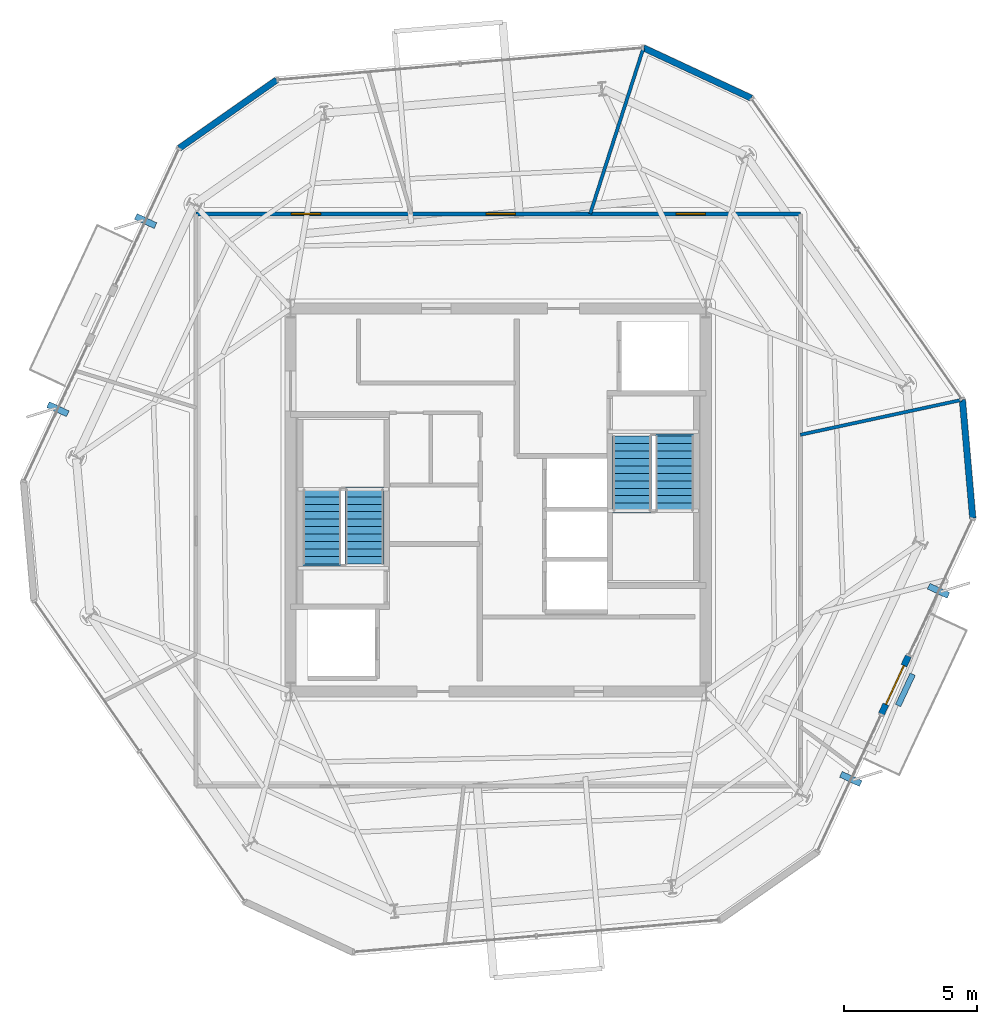
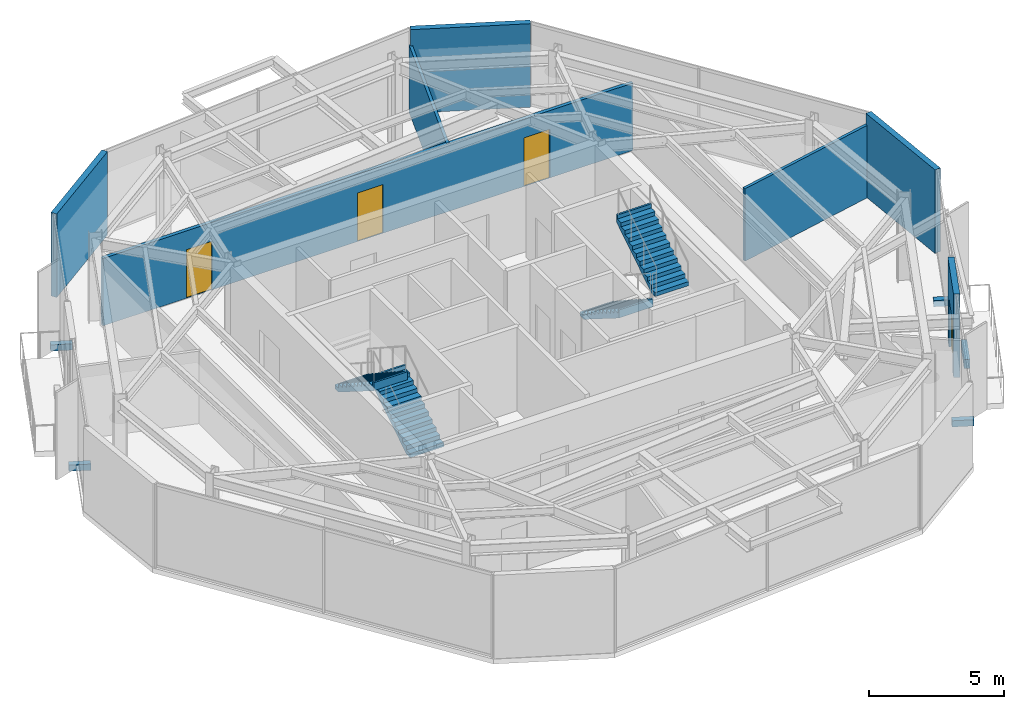
# One storey, part 7 of 11: 8 walls, 4 discrete accessories, 4 doors, 4 stair flights, 4 openings, 2 elements without a shape of their own.
"""IFC4 building model written with IfcOpenShell, lengths in metres."""

from ifc_helpers import new_model, si_unit, direction, frame, frame_2d, origin, origin_2d, place, context, subcontext, project, spatial, polyline, rectangle, outline, extrude, material, layer, layer_set, type_object, element, fill, aggregate, save


model = new_model("IFC4")

# Units and contexts
model_context = context("Model", 3, precision=1e-05, world=origin(), true_north=direction((0.0, 1.0)))
body_context = subcontext(model_context, "Body", "Model", "MODEL_VIEW")
ifc_project = project(units=[si_unit("LENGTHUNIT", "METRE"), si_unit("AREAUNIT", "SQUARE_METRE"), si_unit("VOLUMEUNIT", "CUBIC_METRE"), si_unit("PLANEANGLEUNIT", "RADIAN"), si_unit("MASSUNIT", "GRAM", prefix="KILO")], contexts=[model_context])

# Site, building, storey
site_placement = place(None, origin())
site = spatial("IfcSite", under=ifc_project, at=site_placement, CompositionType="ELEMENT")
building_placement = place(site_placement, origin())
building = spatial("IfcBuilding", under=site, at=building_placement, Name="Kranzbogen Civic Tower", CompositionType="ELEMENT")
storey_placement = place(building_placement, frame((0.0, 0.0, 286.199951171875)))
storey = spatial("IfcBuildingStorey", under=building, at=storey_placement, Name="L69", CompositionType="ELEMENT", Elevation=286.199951171875)

# Wall, openings, doors
ifc_material_1 = material(Name="Double-Stud Acoustic Gypsum Partition")
ifc_layer_1 = layer(ifc_material_1, 0.14990234375, Name="Double-Stud Acoustic Gypsum Partition")
ifc_layer_set_1 = layer_set([ifc_layer_1], Name="Double-Stud Acoustic Gypsum Partition")
wall_type_1 = type_object("IfcWallType", Name="Acoustic Corridor and Clinical Partition 150 mm", PredefinedType="PARTITIONING", material=ifc_layer_set_1)
wall_1_placement = place(storey_placement, frame((13.64990234375, 35.75, 0.0), z_axis=(0.0, 0.0, 1.0), x_axis=(1.0, 0.0, 0.0)))
wall_1 = element("IfcWall", 1, at=wall_1_placement, inside=storey, type_object=wall_type_1, Name="L69 corridor partition 01", PredefinedType="PARTITIONING", context=body_context, shape_type="SweptSolid", body=[
    extrude(rectangle(XDim=22.7001953125, YDim=0.14990234375, at=frame_2d((11.35009765625, 0.0))), origin(), (0.0, 0.0, 1.0), 3.050048828125),
])
opening_1_placement = place(wall_1_placement, frame((18.030029296875, 0.0, 0.0)))
opening_1 = element("IfcOpeningElement", 2, at=opening_1_placement, cuts=wall_1, Name="Opening D-COR60", PredefinedType="OPENING", context=body_context, shape_type="SweptSolid", body=[
    extrude(rectangle(XDim=1.10009765625, YDim=2.199951171875, at=frame_2d((0.550048828125, 1.10009765625))), frame((0.0, 0.0849609375, 0.0), z_axis=(0.0, -1.0, 0.0), x_axis=(1.0, 0.0, 0.0)), (0.0, 0.0, 1.0), 0.169921875),
])
opening_2_placement = place(wall_1_placement, frame((10.89697265625, 0.0, 0.0)))
opening_2 = element("IfcOpeningElement", 3, at=opening_2_placement, cuts=wall_1, Name="Opening D-COR60", PredefinedType="OPENING", context=body_context, shape_type="SweptSolid", body=[
    extrude(rectangle(XDim=1.10009765625, YDim=2.199951171875, at=frame_2d((0.550048828125, 1.10009765625))), frame((0.0, 0.0849609375, 0.0), z_axis=(0.0, -1.0, 0.0), x_axis=(1.0, 0.0, 0.0)), (0.0, 0.0, 1.0), 0.169921875),
])
opening_3_placement = place(wall_1_placement, frame((3.576904296875, 0.0, 0.0)))
opening_3 = element("IfcOpeningElement", 4, at=opening_3_placement, cuts=wall_1, Name="Opening D-COR60", PredefinedType="OPENING", context=body_context, shape_type="SweptSolid", body=[
    extrude(rectangle(XDim=1.10009765625, YDim=2.199951171875, at=frame_2d((0.550048828125, 1.10009765625))), frame((0.0, 0.0849609375, 0.0), z_axis=(0.0, -1.0, 0.0), x_axis=(1.0, 0.0, 0.0)), (0.0, 0.0, 1.0), 0.169921875),
])
ifc_material_2 = material(Name="Oak Timber and Fire Core", Category="wood")
door_type_1 = type_object("IfcDoorType", Name="Corridor Acoustic Fire Door 1100x2200", OperationType="NOTDEFINED", PredefinedType="DOOR", material=ifc_material_2)
door_1_placement = place(opening_1_placement, origin())
door_1 = element("IfcDoor", 5, at=door_1_placement, inside=storey, type_object=door_type_1, Name="L69 Hospitality Catering Kitchen door", OperationType="SINGLE_SWING_RIGHT", OverallHeight=2.199951171875, OverallWidth=1.10009765625, PredefinedType="DOOR", context=body_context, shape_type="SweptSolid", body=[
    extrude(rectangle(XDim=1.10009765625, YDim=2.199951171875, at=frame_2d((0.550048828125, 1.10009765625))), frame((0.0, 0.02490234375, 0.0), z_axis=(0.0, -1.0, 0.0), x_axis=(1.0, 0.0, 0.0)), (0.0, 0.0, 1.0), 0.050048828125),
])
fill(opening_1, door_1)
door_2_placement = place(opening_2_placement, origin())
door_2 = element("IfcDoor", 6, at=door_2_placement, inside=storey, type_object=door_type_1, Name="L69 Refreshment Galley Pantry door", OperationType="SINGLE_SWING_LEFT", OverallHeight=2.199951171875, OverallWidth=1.10009765625, PredefinedType="DOOR", context=body_context, shape_type="SweptSolid", body=[
    extrude(rectangle(XDim=1.10009765625, YDim=2.199951171875, at=frame_2d((0.550048828125, 1.10009765625))), frame((0.0, 0.02490234375, 0.0), z_axis=(0.0, -1.0, 0.0), x_axis=(1.0, 0.0, 0.0)), (0.0, 0.0, 1.0), 0.050048828125),
])
fill(opening_2, door_2)
door_3_placement = place(opening_3_placement, origin())
door_3 = element("IfcDoor", 7, at=door_3_placement, inside=storey, type_object=door_type_1, Name="L69 Executive Briefing Conference Room door", OperationType="SINGLE_SWING_RIGHT", OverallHeight=2.199951171875, OverallWidth=1.10009765625, PredefinedType="DOOR", context=body_context, shape_type="SweptSolid", body=[
    extrude(rectangle(XDim=1.10009765625, YDim=2.199951171875, at=frame_2d((0.550048828125, 1.10009765625))), frame((0.0, 0.02490234375, 0.0), z_axis=(0.0, -1.0, 0.0), x_axis=(1.0, 0.0, 0.0)), (0.0, 0.0, 1.0), 0.050048828125),
])
fill(opening_3, door_3)

# Walls
ifc_material_3 = material(Name="Insulated Metal-Stud Gypsum Partition")
ifc_layer_2 = layer(ifc_material_3, 0.125, Name="Insulated Metal-Stud Gypsum Partition")
ifc_layer_set_2 = layer_set([ifc_layer_2], Name="Insulated Metal-Stud Gypsum Partition")
wall_type_2 = type_object("IfcWallType", Name="Acoustic Inter-Room Partition 125 mm", PredefinedType="PARTITIONING", material=ifc_layer_set_2)
wall_2_placement = place(storey_placement, frame((36.35009765625, 27.450927734375, 0.0), z_axis=(0.0, 0.0, 1.0), x_axis=(0.977442678881, 0.211200874766, 0.0)))
element("IfcWall", 8, at=wall_2_placement, inside=storey, type_object=wall_type_2, Name="L69 radial room partition 06", PredefinedType="PARTITIONING", context=body_context, shape_type="SweptSolid", body=[
    extrude(rectangle(XDim=6.212158203125, YDim=0.125, at=frame_2d((3.10595703125, 0.0))), origin(), (0.0, 0.0, 1.0), 3.280029296875),
])
wall_3_placement = place(storey_placement, frame((28.4541015625, 35.75, 0.0), z_axis=(0.0, 0.0, 1.0), x_axis=(0.305804735988, 0.952094251347, 0.0)))
element("IfcWall", 9, at=wall_3_placement, inside=storey, type_object=wall_type_2, Name="L69 radial room partition 07", PredefinedType="PARTITIONING", context=body_context, shape_type="SweptSolid", body=[
    extrude(rectangle(XDim=6.532958984375, YDim=0.125, at=frame_2d((3.2666015625, 0.0))), origin(), (0.0, 0.0, 1.0), 3.050048828125),
])
ifc_material_4 = material(Name="Architectural Precast Terracotta Concrete C40/50", Category="masonry")
ifc_layer_3 = layer(ifc_material_4, 0.219970703125, Name="Architectural Precast Terracotta Concrete C40/50")
ifc_layer_set_3 = layer_set([ifc_layer_3], Name="Architectural Precast Terracotta Concrete C40/50")
wall_type_3 = type_object("IfcWallType", Name="Architectural Tree Planter Kerb Wall 220 mm", PredefinedType="USERDEFINED", material=ifc_layer_set_3)
wall_4_placement = place(storey_placement, frame((40.02294921875, 17.277099609375, 0.0), z_axis=(0.0, 0.0, 1.0), x_axis=(0.423091064029, 0.90608716553, 0.0)))
element("IfcWall", 10, at=wall_4_placement, inside=storey, type_object=wall_type_3, Name="L69 landscaped tree balcony planter L69-TB1", ObjectType="PLANTER_WALL", PredefinedType="USERDEFINED", context=body_context, shape_type="SweptSolid", body=[
    extrude(rectangle(XDim=1.300048828125, YDim=0.219970703125, at=frame_2d((0.64990234375, 0.0))), origin(), (0.0, 0.0, 1.0), 0.400146484375),
])
ifc_material_5 = material(Name="Pale Anodised Aluminium", Category="aluminium")
ifc_layer_4 = layer(ifc_material_5, 0.239990234375, Name="Pale Anodised Aluminium")
ifc_layer_set_4 = layer_set([ifc_layer_4], Name="Pale Anodised Aluminium")
wall_type_4 = type_object("IfcWallType", Name="Insulated Aluminium Facade Portal Wall 240 mm", PredefinedType="STANDARD", material=ifc_layer_set_4)
wall_5_placement = place(storey_placement, frame((16.675048828125, 40.780029296875, 0.0), z_axis=(0.0, 0.0, 1.0), x_axis=(-0.819111157222, -0.573634824705, 0.0)))
element("IfcWall", 11, at=wall_5_placement, inside=storey, type_object=wall_type_4, Name="L69 chamfered corner facade spandrel 1", PredefinedType="STANDARD", context=body_context, shape_type="SweptSolid", body=[
    extrude(rectangle(XDim=4.464599609375, YDim=0.239990234375, at=frame_2d((2.232421875, 0.0))), origin(), (0.0, 0.0, 1.0), 3.780029296875),
])

# Wall, opening, door
wall_6_placement = place(storey_placement, frame((39.39794921875, 16.9619140625, 0.0), z_axis=(0.0, 0.0, 1.0), x_axis=(0.422590274694, 0.906320837085, 0.0)))
wall_6 = element("IfcWall", 12, at=wall_6_placement, inside=storey, type_object=wall_type_4, Name="L69 exterior entrance portal wall 1", PredefinedType="STANDARD", context=body_context, shape_type="SweptSolid", body=[
    extrude(rectangle(XDim=2.39990234375, YDim=0.239990234375, at=frame_2d((1.199951171875, 0.0))), origin(), (0.0, 0.0, 1.0), 3.780029296875),
])
opening_4_placement = place(wall_6_placement, frame((0.39990234375, 0.0, 0.0)))
opening_4 = element("IfcOpeningElement", 13, at=opening_4_placement, cuts=wall_6, Name="Opening D-TER", PredefinedType="OPENING", context=body_context, shape_type="SweptSolid", body=[
    extrude(rectangle(XDim=1.60009765625, YDim=2.25, at=frame_2d((0.800048828125, 1.125))), frame((0.0, 0.1298828125, 0.0), z_axis=(0.0, -1.0, 0.0), x_axis=(1.0, 0.0, 0.0)), (0.0, 0.0, 1.0), 0.260009765625),
])
ifc_material_6 = material(Name="Anodised Bronze and Triple Glass", Category="glass")
door_type_2 = type_object("IfcDoorType", Name="Glazed Terrace and Balcony Double Door 1600x2250", OperationType="DOUBLE_DOOR_SINGLE_SWING", PredefinedType="DOOR", material=ifc_material_6)
door_4_placement = place(opening_4_placement, frame((1.60009765625, 0.0, 0.0), z_axis=(0.0, 0.0, 1.0), x_axis=(-1.0, 0.0, 0.0)))
door_4 = element("IfcDoor", 14, at=door_4_placement, inside=storey, type_object=door_type_2, Name="L69 tree balcony access door L69-TB1", OperationType="DOUBLE_DOOR_SINGLE_SWING", OverallHeight=2.25, OverallWidth=1.60009765625, PredefinedType="DOOR", context=body_context, shape_type="SweptSolid", body=[
    extrude(rectangle(XDim=1.60009765625, YDim=2.25, at=frame_2d((0.800048828125, 1.125))), frame((0.0, 0.02490234375, 0.0), z_axis=(0.0, -1.0, 0.0), x_axis=(1.0, 0.0, 0.0)), (0.0, 0.0, 1.0), 0.050048828125),
])
fill(opening_4, door_4)

# Walls
for number, where, z_axis, x_axis, name in (
    (15, (42.827880859375, 24.318115234375, 0.0), (0.0, 0.0, 1.0), (-0.087103868575, 0.996199235133, 0.0), "L69 chamfered corner facade spandrel 5"),
    (16, (34.50390625, 40.10009765625, 0.0), (0.0, 0.0, 1.0), (-0.906318587574, 0.422595099141, 0.0), "L69 chamfered corner facade spandrel 6"),
):
    element("IfcWall", number, at=place(storey_placement, frame(where, z_axis=z_axis, x_axis=x_axis)), inside=storey, type_object=wall_type_4, Name=name, PredefinedType="STANDARD", context=body_context, shape_type="SweptSolid", body=[
        extrude(rectangle(XDim=4.465087890625, YDim=0.239990234375, at=frame_2d((2.232421875, 0.0))), origin(), (0.0, 0.0, 1.0), 3.780029296875),
    ])

# Stair, stair flights
ifc_material_7 = material(Name="Precast concrete C40/50", Category="concrete")
stair_type_1 = type_object("IfcStairType", Name="Tower Core Pressurized Dogleg Stair 1450", PredefinedType="HALF_TURN_STAIR", material=ifc_material_7)
stair_1_placement = place(storey_placement, origin())
stair_1 = element("IfcStair", 17, at=stair_1_placement, inside=storey, type_object=stair_type_1, Name="L69 Tower Core Pressurized Stair 1", PredefinedType="HALF_TURN_STAIR")
stair_flight_type = type_object("IfcStairFlightType", Name="Precast Concrete Stair Flight R180", PredefinedType="STRAIGHT", material=ifc_material_7)
stair_flight_1_placement = place(storey_placement, frame((19.97509765625, 22.60009765625, 0.0), z_axis=(0.0, 0.0, 1.0), x_axis=(0.0, 1.0, 0.0)))
stair_flight_1 = element("IfcStairFlight", 18, at=stair_flight_1_placement, type_object=stair_flight_type, Name="ST-T1 flight 1", NumberOfRisers=11, NumberOfTreads=10, PredefinedType="STRAIGHT", RiserHeight=0.181818182, TreadLength=0.28, context=body_context, shape_type="SweptSolid", body=[
    extrude(outline(polyline([(0.0, 0.0), (0.0, 0.181884765625), (0.280029296875, 0.181884765625), (0.280029296875, 0.363525390625), (0.56005859375, 0.363525390625), (0.56005859375, 0.54541015625), (0.840087890625, 0.54541015625), (0.840087890625, 0.727294921875), (1.1201171875, 0.727294921875), (1.1201171875, 0.9091796875), (1.39990234375, 0.9091796875), (1.39990234375, 1.0908203125), (1.679931640625, 1.0908203125), (1.679931640625, 1.272705078125), (1.9599609375, 1.272705078125), (1.9599609375, 1.45458984375), (2.239990234375, 1.45458984375), (2.239990234375, 1.636474609375), (2.52001953125, 1.636474609375), (2.52001953125, 1.818115234375), (2.800048828125, 1.818115234375), (2.800048828125, 2.0), (2.880126953125, 2.0), (2.880126953125, 1.639404296875), (0.275146484375, 0.0), (0.0, 0.0)])), frame((0.0, 0.72509765625, 0.0), z_axis=(0.0, -1.0, 0.0), x_axis=(1.0, 0.0, 0.0)), (0.0, 0.0, 1.0), 1.449951171875),
])
stair_flight_2_placement = place(storey_placement, frame((18.375, 25.39990234375, 2.0), z_axis=(0.0, 0.0, 1.0), x_axis=(0.0, -1.0, 0.0)))
stair_flight_2 = element("IfcStairFlight", 19, at=stair_flight_2_placement, type_object=stair_flight_type, Name="ST-T1 flight 2", NumberOfRisers=11, NumberOfTreads=10, PredefinedType="STRAIGHT", RiserHeight=0.181818182, TreadLength=0.28, context=body_context, shape_type="SweptSolid", body=[
    extrude(outline(polyline([(0.0, 0.0), (0.0, 0.181884765625), (0.280029296875, 0.181884765625), (0.280029296875, 0.363525390625), (0.56005859375, 0.363525390625), (0.56005859375, 0.54541015625), (0.840087890625, 0.54541015625), (0.840087890625, 0.727294921875), (1.1201171875, 0.727294921875), (1.1201171875, 0.9091796875), (1.39990234375, 0.9091796875), (1.39990234375, 1.0908203125), (1.679931640625, 1.0908203125), (1.679931640625, 1.272705078125), (1.9599609375, 1.272705078125), (1.9599609375, 1.45458984375), (2.239990234375, 1.45458984375), (2.239990234375, 1.636474609375), (2.52001953125, 1.636474609375), (2.52001953125, 1.818115234375), (2.800048828125, 1.818115234375), (2.800048828125, 2.0), (2.880126953125, 2.0), (2.880126953125, 1.639404296875), (0.275146484375, 0.0), (0.0, 0.0)])), frame((0.0, 0.72509765625, 0.0), z_axis=(0.0, -1.0, 0.0), x_axis=(1.0, 0.0, 0.0)), (0.0, 0.0, 1.0), 1.449951171875),
])
aggregate(stair_1, [stair_flight_1, stair_flight_2])

stair_type_2 = type_object("IfcStairType", Name="Tower Core Secondary Dogleg Stair 1450", PredefinedType="HALF_TURN_STAIR", material=ifc_material_7)
stair_2_placement = place(storey_placement, origin())
stair_2 = element("IfcStair", 20, at=stair_2_placement, inside=storey, type_object=stair_type_2, Name="L69 Tower Core Pressurized Stair 2", PredefinedType="HALF_TURN_STAIR")
stair_flight_3_placement = place(storey_placement, frame((30.02490234375, 27.39990234375, 0.0), z_axis=(0.0, 0.0, 1.0), x_axis=(0.0, -1.0, 0.0)))
stair_flight_3 = element("IfcStairFlight", 21, at=stair_flight_3_placement, type_object=stair_flight_type, Name="ST-T2 flight 1", NumberOfRisers=11, NumberOfTreads=10, PredefinedType="STRAIGHT", RiserHeight=0.181818182, TreadLength=0.28, context=body_context, shape_type="SweptSolid", body=[
    extrude(outline(polyline([(0.0, 0.0), (0.0, 0.181884765625), (0.280029296875, 0.181884765625), (0.280029296875, 0.363525390625), (0.56005859375, 0.363525390625), (0.56005859375, 0.54541015625), (0.840087890625, 0.54541015625), (0.840087890625, 0.727294921875), (1.1201171875, 0.727294921875), (1.1201171875, 0.9091796875), (1.39990234375, 0.9091796875), (1.39990234375, 1.0908203125), (1.679931640625, 1.0908203125), (1.679931640625, 1.272705078125), (1.9599609375, 1.272705078125), (1.9599609375, 1.45458984375), (2.239990234375, 1.45458984375), (2.239990234375, 1.636474609375), (2.52001953125, 1.636474609375), (2.52001953125, 1.818115234375), (2.800048828125, 1.818115234375), (2.800048828125, 2.0), (2.880126953125, 2.0), (2.880126953125, 1.639404296875), (0.275146484375, 0.0), (0.0, 0.0)])), frame((0.0, 0.72509765625, 0.0), z_axis=(0.0, -1.0, 0.0), x_axis=(1.0, 0.0, 0.0)), (0.0, 0.0, 1.0), 1.449951171875),
])
stair_flight_4_placement = place(storey_placement, frame((31.625, 24.60009765625, 2.0), z_axis=(0.0, 0.0, 1.0), x_axis=(0.0, 1.0, 0.0)))
stair_flight_4 = element("IfcStairFlight", 22, at=stair_flight_4_placement, type_object=stair_flight_type, Name="ST-T2 flight 2", NumberOfRisers=11, NumberOfTreads=10, PredefinedType="STRAIGHT", RiserHeight=0.181818182, TreadLength=0.28, context=body_context, shape_type="SweptSolid", body=[
    extrude(outline(polyline([(0.0, 0.0), (0.0, 0.181884765625), (0.280029296875, 0.181884765625), (0.280029296875, 0.363525390625), (0.56005859375, 0.363525390625), (0.56005859375, 0.54541015625), (0.840087890625, 0.54541015625), (0.840087890625, 0.727294921875), (1.1201171875, 0.727294921875), (1.1201171875, 0.9091796875), (1.39990234375, 0.9091796875), (1.39990234375, 1.0908203125), (1.679931640625, 1.0908203125), (1.679931640625, 1.272705078125), (1.9599609375, 1.272705078125), (1.9599609375, 1.45458984375), (2.239990234375, 1.45458984375), (2.239990234375, 1.636474609375), (2.52001953125, 1.636474609375), (2.52001953125, 1.818115234375), (2.800048828125, 1.818115234375), (2.800048828125, 2.0), (2.880126953125, 2.0), (2.880126953125, 1.639404296875), (0.275146484375, 0.0), (0.0, 0.0)])), frame((0.0, 0.72509765625, 0.0), z_axis=(0.0, -1.0, 0.0), x_axis=(1.0, 0.0, 0.0)), (0.0, 0.0, 1.0), 1.449951171875),
])
aggregate(stair_2, [stair_flight_3, stair_flight_4])

# Discrete accessories
ifc_material_8 = material(Name="Steel S355", Category="steel")
discrete_accessory_type = type_object("IfcDiscreteAccessoryType", Name="Structural Curtain-Wall Fin Support Bracket", PredefinedType="BRACKET", material=ifc_material_8)
for number, where, z_axis, x_axis, name in (
    (23, (11.7529296875, 35.47998046875, -0.25), (0.0, 0.0, 1.0), (-0.906307787037, 0.422618261741, 0.0), "L69 facade fin support bracket F2-1"),
    (24, (8.45703125, 28.410888671875, -0.25), (0.0, 0.0, 1.0), (-0.906307787037, 0.422618261741, 0.0), "L69 facade fin support bracket F2-4"),
    (25, (38.2470703125, 14.52001953125, -0.25), (0.0, 0.0, 1.0), (0.906307787037, -0.422618261741, 0.0), "L69 facade fin support bracket F5-1"),
    (26, (41.54296875, 21.589111328125, -0.25), (0.0, 0.0, 1.0), (0.906307787037, -0.422618261741, 0.0), "L69 facade fin support bracket F5-4"),
):
    element("IfcDiscreteAccessory", number, at=place(storey_placement, frame(where, z_axis=z_axis, x_axis=x_axis)), inside=storey, type_object=discrete_accessory_type, Name=name, PredefinedType="BRACKET", context=body_context, shape_type="SweptSolid", body=[
        extrude(rectangle(XDim=0.820068359375, YDim=0.239990234375, at=origin_2d()), origin(), (0.0, 0.0, 1.0), 0.280029296875),
    ])

save(model, "model.ifc")
